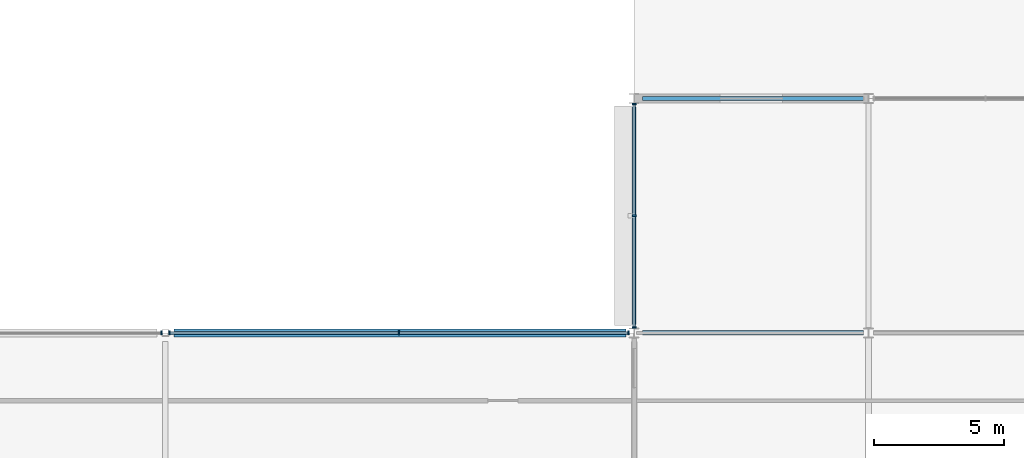
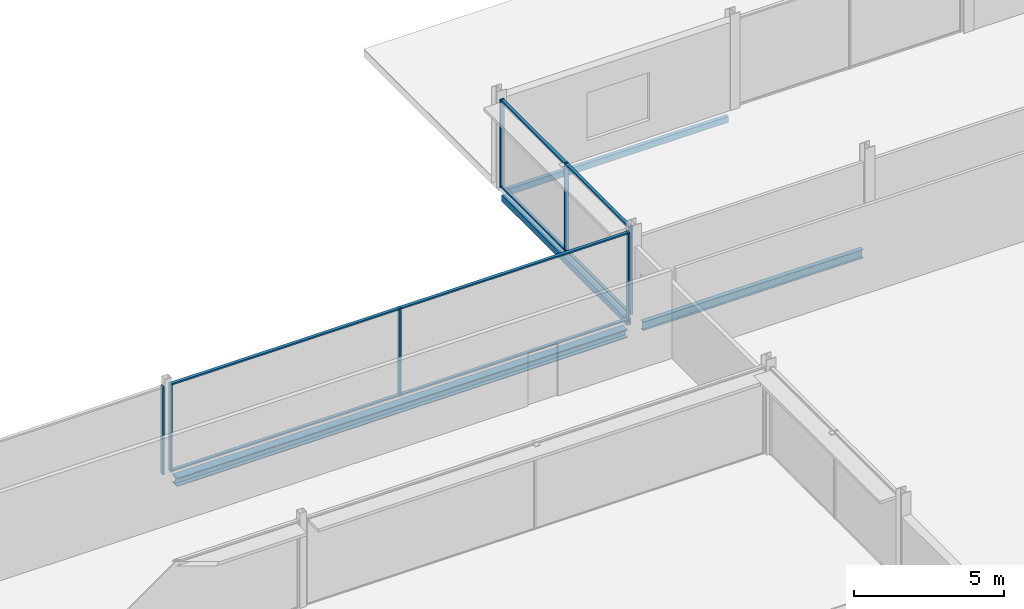
# One storey, part 53 of 105: 15 members, 4 beams, 3 elements without a shape of their own.
"""IFC4 building model written with IfcOpenShell, lengths in metres."""

from ifc_helpers import new_model, si_unit, direction, frame, origin, origin_2d, place, context, subcontext, project, spatial, rectangle, hollow_rectangle, i_section, extrude, material, layer, layer_set, material_profile, profile_set, type_object, element, aggregate, save


model = new_model("IFC4")

# Units and contexts
model_context = context("Model", 3, precision=1e-05, world=origin(), true_north=direction((0.0, 1.0)))
body_context = subcontext(model_context, "Body", "Model", "MODEL_VIEW")
ifc_project = project(units=[si_unit("LENGTHUNIT", "METRE"), si_unit("AREAUNIT", "SQUARE_METRE"), si_unit("VOLUMEUNIT", "CUBIC_METRE"), si_unit("PLANEANGLEUNIT", "RADIAN"), si_unit("MASSUNIT", "GRAM", prefix="KILO")], contexts=[model_context])

# Site, building, storey
site_placement = place(None, origin())
site = spatial("IfcSite", under=ifc_project, at=site_placement, CompositionType="ELEMENT")
building_placement = place(site_placement, origin())
building = spatial("IfcBuilding", under=site, at=building_placement, Name="Kisiwana Market Hall", CompositionType="ELEMENT")
storey_placement = place(building_placement, frame((0.0, 0.0, 21.60009765625)))
storey = spatial("IfcBuildingStorey", under=building, at=storey_placement, Name="L04", CompositionType="ELEMENT", Elevation=21.60009765625)

# Beams
ifc_material_1 = material(Name="Steel S355", Category="steel")
ifc_material_profile_1 = material_profile(ifc_material_1, i_section(OverallWidth=0.17138671875, OverallDepth=0.35498046875, WebThickness=0.00732421875, FlangeThickness=0.011474609375, at=origin_2d()), Name="UB 356x171x51")
ifc_profile_set_1 = profile_set([ifc_material_profile_1], Name="Steel S355")
beam_type_1 = type_object("IfcBeamType", Name="BM-JOIST-UB356", PredefinedType="JOIST", material=ifc_profile_set_1)
beam_1_placement = place(storey_placement, frame((153.321044921875, 102.0, -0.422607421875), z_axis=(1.0, 0.0, 0.0), x_axis=(0.0, 1.0, 0.0)))
element("IfcBeam", 1, at=beam_1_placement, inside=storey, type_object=beam_type_1, Name="Floor beam B-1477", PredefinedType="JOIST", context=body_context, shape_type="SweptSolid", body=[
    extrude(i_section(OverallWidth=0.17138671875, OverallDepth=0.35498046875, WebThickness=0.00732421875, FlangeThickness=0.011474609375, at=origin_2d()), origin(), (0.0, 0.0, 1.0), 8.47998046875),
])
ifc_material_2 = material(Name="Steel S355", Category="steel")
ifc_material_profile_2 = material_profile(ifc_material_2, i_section(OverallWidth=0.314453125, OverallDepth=0.33984375, WebThickness=0.01904296875, FlangeThickness=0.031494140625, at=origin_2d()), Name="UC 305x305x198")
ifc_profile_set_2 = profile_set([ifc_material_profile_2], Name="Steel S355")
beam_type_2 = type_object("IfcBeamType", Name="BM-SKYBR-CHORD", PredefinedType="BEAM", material=ifc_profile_set_2)
beam_2_placement = place(storey_placement, frame((135.321044921875, 102.0, -0.43505859375), z_axis=(1.0, 0.0, 0.0), x_axis=(0.0, 1.0, 0.0)))
element("IfcBeam", 2, at=beam_2_placement, inside=storey, type_object=beam_type_2, Name="Floor beam B-1476", PredefinedType="BEAM", context=body_context, shape_type="SweptSolid", body=[
    extrude(i_section(OverallWidth=0.314453125, OverallDepth=0.33984375, WebThickness=0.01904296875, FlangeThickness=0.031494140625, at=origin_2d()), origin(), (0.0, 0.0, 1.0), 17.35791015625),
])
ifc_material_3 = material(Name="Steel S355", Category="steel")
ifc_material_profile_3 = material_profile(ifc_material_3, hollow_rectangle(XDim=0.14990234375, YDim=0.25, WallThickness=0.010009765625, at=origin_2d()), Name="RHS 250x150x10.0")
ifc_profile_set_3 = profile_set([ifc_material_profile_3], Name="Steel S355")
beam_type_3 = type_object("IfcBeamType", Name="BM-SPAN-RHS250", PredefinedType="SPANDREL", material=ifc_profile_set_3)
beam_3_placement = place(storey_placement, frame((153.321044921875, 111.0, -0.4169921875), z_axis=(1.0, 0.0, 0.0), x_axis=(0.0, 1.0, 0.0)))
element("IfcBeam", 3, at=beam_3_placement, inside=storey, type_object=beam_type_3, Name="Floor beam B-1485", PredefinedType="SPANDREL", context=body_context, shape_type="SweptSolid", body=[
    extrude(hollow_rectangle(XDim=0.14990234375, YDim=0.25, WallThickness=0.010009765625, at=origin_2d()), origin(), (0.0, 0.0, 1.0), 8.4833984375),
])
beam_4_placement = place(storey_placement, frame((153.0, 102.321044921875, -0.3701171875), z_axis=(0.0, 1.0, 0.0), x_axis=(-1.0, 0.0, 0.0)))
element("IfcBeam", 4, at=beam_4_placement, inside=storey, type_object=beam_type_3, Name="Floor beam B-1508", PredefinedType="SPANDREL", context=body_context, shape_type="SweptSolid", body=[
    extrude(hollow_rectangle(XDim=0.14990234375, YDim=0.25, WallThickness=0.010009765625, at=origin_2d()), origin(), (0.0, 0.0, 1.0), 8.35791015625),
])

# Curtain wall, member
ifc_material_4 = material(Name="Double-glazed solar-control low-E IGU", Category="glass")
ifc_layer = layer(ifc_material_4, 0.159912109375)
ifc_layer_set = layer_set([ifc_layer], Name="CW-ZNA-EW-8200")
curtain_wall_type = type_object("IfcCurtainWallType", Name="CW-ZNA-EW-8200", PredefinedType="USERDEFINED", material=ifc_layer_set)
curtain_wall_1_placement = place(storey_placement, origin())
curtain_wall_1 = element("IfcCurtainWall", 5, at=curtain_wall_1_placement, inside=storey, type_object=curtain_wall_type, Name="Unitised curtain wall CW-114 (L04)", ObjectType="UNITISED CURTAIN WALL", PredefinedType="USERDEFINED")
ifc_material_5 = material(Name="Aluminium alloy 6063-T6", Category="aluminium")
ifc_material_profile_4 = material_profile(ifc_material_5, rectangle(XDim=0.06005859375, YDim=0.159912109375, at=origin_2d()), Name="ALU MULLION 60x160")
ifc_profile_set_4 = profile_set([ifc_material_profile_4], Name="Aluminium alloy 6063-T6")
member_type_1 = type_object("IfcMemberType", Name="CW-MULL-60x160", PredefinedType="MULLION", material=ifc_profile_set_4)
member_1_placement = place(storey_placement, frame((134.844970703125, 102.0, 0.0), z_axis=(0.0, 0.0, 1.0), x_axis=(1.0, 0.0, 0.0)))
member_1 = element("IfcMember", 6, at=member_1_placement, type_object=member_type_1, Name="CW-114 mullion 3", PredefinedType="MULLION", context=body_context, shape_type="SweptSolid", body=[
    extrude(rectangle(XDim=0.06005859375, YDim=0.159912109375, at=origin_2d()), origin(), (0.0, 0.0, 1.0), 3.5849609375),
])
aggregate(curtain_wall_1, [member_1])

# Curtain wall, members
curtain_wall_2_placement = place(storey_placement, origin())
curtain_wall_2 = element("IfcCurtainWall", 7, at=curtain_wall_2_placement, inside=storey, type_object=curtain_wall_type, Name="Unitised curtain wall CW-115 (L04)", ObjectType="UNITISED CURTAIN WALL", PredefinedType="USERDEFINED")
member_2_placement = place(storey_placement, frame((135.155029296875, 102.0, 0.0), z_axis=(0.0, 0.0, 1.0), x_axis=(1.0, 0.0, 0.0)))
member_2 = element("IfcMember", 8, at=member_2_placement, type_object=member_type_1, Name="CW-115 mullion 1", PredefinedType="MULLION", context=body_context, shape_type="SweptSolid", body=[
    extrude(rectangle(XDim=0.06005859375, YDim=0.159912109375, at=origin_2d()), origin(), (0.0, 0.0, 1.0), 3.5849609375),
])
member_3_placement = place(storey_placement, frame((143.96923828125, 102.0, 0.0), z_axis=(0.0, 0.0, 1.0), x_axis=(1.0, 0.0, 0.0)))
member_3 = element("IfcMember", 9, at=member_3_placement, type_object=member_type_1, Name="CW-115 mullion 2", PredefinedType="MULLION", context=body_context, shape_type="SweptSolid", body=[
    extrude(rectangle(XDim=0.06005859375, YDim=0.159912109375, at=origin_2d()), origin(), (0.0, 0.0, 1.0), 3.5849609375),
])
member_4_placement = place(storey_placement, frame((152.78369140625, 102.0, 0.0), z_axis=(0.0, 0.0, 1.0), x_axis=(1.0, 0.0, 0.0)))
member_4 = element("IfcMember", 10, at=member_4_placement, type_object=member_type_1, Name="CW-115 mullion 3", PredefinedType="MULLION", context=body_context, shape_type="SweptSolid", body=[
    extrude(rectangle(XDim=0.06005859375, YDim=0.159912109375, at=origin_2d()), origin(), (0.0, 0.0, 1.0), 3.5849609375),
])

curtain_wall_3_placement = place(storey_placement, origin())
curtain_wall_3 = element("IfcCurtainWall", 11, at=curtain_wall_3_placement, inside=storey, type_object=curtain_wall_type, Name="Unitised curtain wall CW-127 (L04)", ObjectType="UNITISED CURTAIN WALL", PredefinedType="USERDEFINED")
member_5_placement = place(storey_placement, frame((153.0, 102.214111328125, 0.0), z_axis=(0.0, 0.0, 1.0), x_axis=(0.0, 1.0, 0.0)))
member_5 = element("IfcMember", 12, at=member_5_placement, type_object=member_type_1, Name="CW-127 mullion 1", PredefinedType="MULLION", context=body_context, shape_type="SweptSolid", body=[
    extrude(rectangle(XDim=0.06005859375, YDim=0.159912109375, at=origin_2d()), origin(), (0.0, 0.0, 1.0), 3.5849609375),
])
member_6_placement = place(storey_placement, frame((153.0, 106.5, 0.0), z_axis=(0.0, 0.0, 1.0), x_axis=(0.0, 1.0, 0.0)))
member_6 = element("IfcMember", 13, at=member_6_placement, type_object=member_type_1, Name="CW-127 mullion 2", PredefinedType="MULLION", context=body_context, shape_type="SweptSolid", body=[
    extrude(rectangle(XDim=0.06005859375, YDim=0.159912109375, at=origin_2d()), origin(), (0.0, 0.0, 1.0), 3.5849609375),
])
member_7_placement = place(storey_placement, frame((153.0, 110.785888671875, 0.0), z_axis=(0.0, 0.0, 1.0), x_axis=(0.0, 1.0, 0.0)))
member_7 = element("IfcMember", 14, at=member_7_placement, type_object=member_type_1, Name="CW-127 mullion 3", PredefinedType="MULLION", context=body_context, shape_type="SweptSolid", body=[
    extrude(rectangle(XDim=0.06005859375, YDim=0.159912109375, at=origin_2d()), origin(), (0.0, 0.0, 1.0), 3.5849609375),
])

# Member
ifc_material_6 = material(Name="Aluminium alloy 6063-T6", Category="aluminium")
ifc_material_profile_5 = material_profile(ifc_material_6, rectangle(XDim=0.1201171875, YDim=0.06005859375, at=origin_2d()), Name="ALU TRANSOM 60x120")
ifc_profile_set_5 = profile_set([ifc_material_profile_5], Name="Aluminium alloy 6063-T6")
member_type_2 = type_object("IfcMemberType", Name="CW-TRAN-60x120", PredefinedType="USERDEFINED", material=ifc_profile_set_5)
member_8_placement = place(storey_placement, frame((135.18505859375, 102.0, 0.02978515625), z_axis=(1.0, 0.0, 0.0), x_axis=(0.0, 1.0, 0.0)))
member_8 = element("IfcMember", 15, at=member_8_placement, type_object=member_type_2, Name="CW-115 transom 1.1", ObjectType="TRANSOM", PredefinedType="USERDEFINED", context=body_context, shape_type="SweptSolid", body=[
    extrude(rectangle(XDim=0.1201171875, YDim=0.06005859375, at=origin_2d()), origin(), (0.0, 0.0, 1.0), 8.75439453125),
])

member_9_placement = place(storey_placement, frame((135.18505859375, 102.0, 3.554931640625), z_axis=(1.0, 0.0, 0.0), x_axis=(0.0, 1.0, 0.0)))
member_9 = element("IfcMember", 16, at=member_9_placement, type_object=member_type_2, Name="CW-115 transom 1.2", ObjectType="TRANSOM", PredefinedType="USERDEFINED", context=body_context, shape_type="SweptSolid", body=[
    extrude(rectangle(XDim=0.1201171875, YDim=0.06005859375, at=origin_2d()), origin(), (0.0, 0.0, 1.0), 8.75439453125),
])

member_10_placement = place(storey_placement, frame((143.999267578125, 102.0, 0.02978515625), z_axis=(1.0, 0.0, 0.0), x_axis=(0.0, 1.0, 0.0)))
member_10 = element("IfcMember", 17, at=member_10_placement, type_object=member_type_2, Name="CW-115 transom 2.1", ObjectType="TRANSOM", PredefinedType="USERDEFINED", context=body_context, shape_type="SweptSolid", body=[
    extrude(rectangle(XDim=0.1201171875, YDim=0.06005859375, at=origin_2d()), origin(), (0.0, 0.0, 1.0), 8.75439453125),
])

member_11_placement = place(storey_placement, frame((143.999267578125, 102.0, 3.554931640625), z_axis=(1.0, 0.0, 0.0), x_axis=(0.0, 1.0, 0.0)))
member_11 = element("IfcMember", 18, at=member_11_placement, type_object=member_type_2, Name="CW-115 transom 2.2", ObjectType="TRANSOM", PredefinedType="USERDEFINED", context=body_context, shape_type="SweptSolid", body=[
    extrude(rectangle(XDim=0.1201171875, YDim=0.06005859375, at=origin_2d()), origin(), (0.0, 0.0, 1.0), 8.75439453125),
])

aggregate(curtain_wall_2, [member_2, member_3, member_4, member_8, member_9, member_10, member_11])

member_12_placement = place(storey_placement, frame((153.0, 102.244140625, 0.02978515625), z_axis=(0.0, 1.0, 0.0), x_axis=(-1.0, 0.0, 0.0)))
member_12 = element("IfcMember", 19, at=member_12_placement, type_object=member_type_2, Name="CW-127 transom 1.1", ObjectType="TRANSOM", PredefinedType="USERDEFINED", context=body_context, shape_type="SweptSolid", body=[
    extrude(rectangle(XDim=0.1201171875, YDim=0.06005859375, at=origin_2d()), origin(), (0.0, 0.0, 1.0), 4.225830078125),
])

member_13_placement = place(storey_placement, frame((153.0, 102.244140625, 3.554931640625), z_axis=(0.0, 1.0, 0.0), x_axis=(-1.0, 0.0, 0.0)))
member_13 = element("IfcMember", 20, at=member_13_placement, type_object=member_type_2, Name="CW-127 transom 1.2", ObjectType="TRANSOM", PredefinedType="USERDEFINED", context=body_context, shape_type="SweptSolid", body=[
    extrude(rectangle(XDim=0.1201171875, YDim=0.06005859375, at=origin_2d()), origin(), (0.0, 0.0, 1.0), 4.225830078125),
])

member_14_placement = place(storey_placement, frame((153.0, 106.530029296875, 0.02978515625), z_axis=(0.0, 1.0, 0.0), x_axis=(-1.0, 0.0, 0.0)))
member_14 = element("IfcMember", 21, at=member_14_placement, type_object=member_type_2, Name="CW-127 transom 2.1", ObjectType="TRANSOM", PredefinedType="USERDEFINED", context=body_context, shape_type="SweptSolid", body=[
    extrude(rectangle(XDim=0.1201171875, YDim=0.06005859375, at=origin_2d()), origin(), (0.0, 0.0, 1.0), 4.225830078125),
])

member_15_placement = place(storey_placement, frame((153.0, 106.530029296875, 3.554931640625), z_axis=(0.0, 1.0, 0.0), x_axis=(-1.0, 0.0, 0.0)))
member_15 = element("IfcMember", 22, at=member_15_placement, type_object=member_type_2, Name="CW-127 transom 2.2", ObjectType="TRANSOM", PredefinedType="USERDEFINED", context=body_context, shape_type="SweptSolid", body=[
    extrude(rectangle(XDim=0.1201171875, YDim=0.06005859375, at=origin_2d()), origin(), (0.0, 0.0, 1.0), 4.225830078125),
])

aggregate(curtain_wall_3, [member_5, member_6, member_7, member_12, member_13, member_14, member_15])

save(model, "model.ifc")
